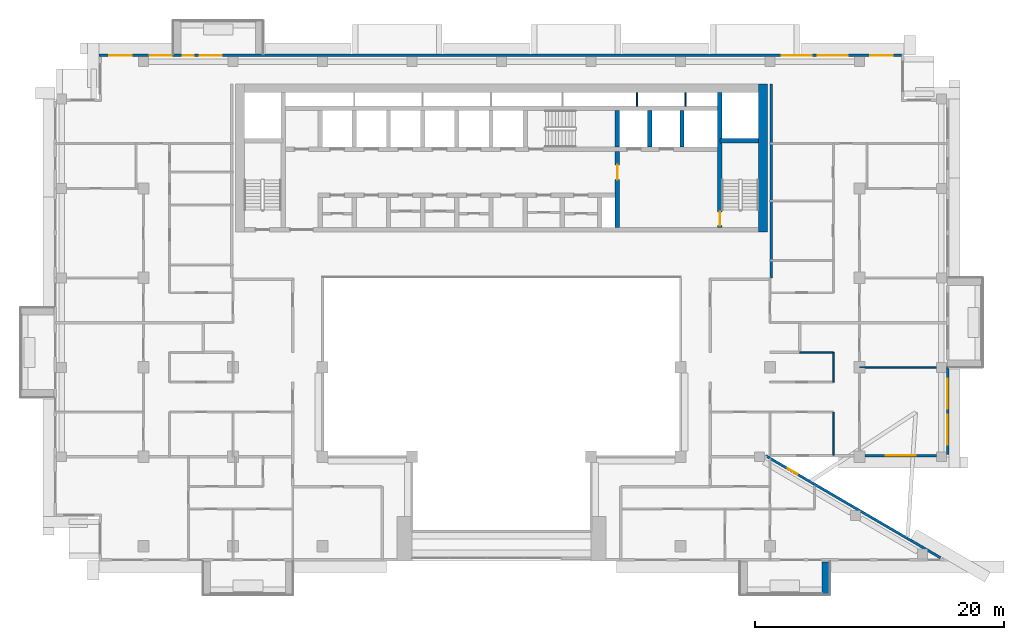
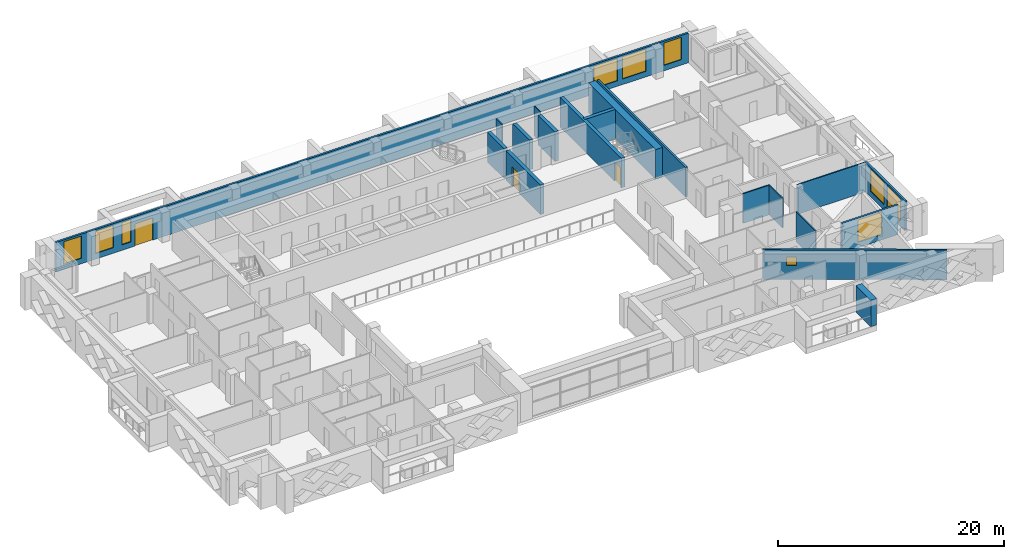
# One storey, part 11 of 20: 19 walls, 10 windows, 3 doors, 13 openings.
"""IFC4 building model written with IfcOpenShell, lengths in metres."""

from ifc_helpers import new_model, si_unit, direction, frame, frame_2d, origin, place, context, subcontext, project, spatial, rectangle, extrude, material, layer, layer_set, type_object, element, fill, save


model = new_model("IFC4")

# Units and contexts
model_context = context("Model", 3, precision=1e-05, world=origin(), true_north=direction((0.0, 1.0)))
body_context = subcontext(model_context, "Body", "Model", "MODEL_VIEW")
ifc_project = project(units=[si_unit("LENGTHUNIT", "METRE"), si_unit("AREAUNIT", "SQUARE_METRE"), si_unit("VOLUMEUNIT", "CUBIC_METRE"), si_unit("PLANEANGLEUNIT", "RADIAN"), si_unit("MASSUNIT", "GRAM", prefix="KILO")], contexts=[model_context])

# Site, building, storey
site_placement = place(None, origin())
site = spatial("IfcSite", under=ifc_project, at=site_placement, CompositionType="ELEMENT")
building_placement = place(site_placement, origin())
building = spatial("IfcBuilding", under=site, at=building_placement, Name="Saffron Iwan Residences", CompositionType="ELEMENT")
storey_placement = place(building_placement, frame((0.0, 0.0, 181.5)))
storey = spatial("IfcBuildingStorey", under=building, at=storey_placement, Name="L48", CompositionType="ELEMENT", Elevation=181.5)

# Wall
ifc_material_1 = material(Name="Concrete C50/60 white painted", Category="concrete")
ifc_layer_1 = layer(ifc_material_1, 0.60009765625)
ifc_layer_set_1 = layer_set([ifc_layer_1], Name="Concrete C50/60 white painted")
wall_type_1 = type_object("IfcWallType", Name="BALCONY FIN 600", PredefinedType="SOLIDWALL", material=ifc_layer_set_1)
wall_1_placement = place(storey_placement, frame((76.5, 39.550048828125, 0.0), z_axis=(0.0, 0.0, 1.0), x_axis=(0.0, -1.0, 0.0)))
element("IfcWall", 1, at=wall_1_placement, inside=storey, type_object=wall_type_1, Name="Balcony fin L48 11-1b", PredefinedType="SOLIDWALL", context=body_context, shape_type="SweptSolid", body=[
    extrude(rectangle(XDim=2.650146484375, YDim=0.60009765625, at=frame_2d((1.3251953125, 0.0))), origin(), (0.0, 0.0, 1.0), 2.85009765625),
])

# Wall, opening, window
ifc_material_2 = material(Name="Concrete C40/50", Category="concrete")
ifc_layer_2 = layer(ifc_material_2, 0.199951171875)
ifc_layer_set_2 = layer_set([ifc_layer_2], Name="Concrete C40/50")
wall_type_2 = type_object("IfcWallType", Name="EXTERNAL WALL 200", PredefinedType="SOLIDWALL", material=ifc_layer_set_2)
wall_2_placement = place(storey_placement, frame((85.71923828125, 39.88134765625, 0.0), z_axis=(0.0, 0.0, 1.0), x_axis=(-0.86377618652, 0.503875678716, 0.0)))
wall_2 = element("IfcWall", 2, at=wall_2_placement, inside=storey, type_object=wall_type_2, Name="External wall L48 F0.0", PredefinedType="SOLIDWALL", context=body_context, shape_type="SweptSolid", body=[
    extrude(rectangle(XDim=16.31103515625, YDim=0.199951171875, at=frame_2d((8.155517578125, 0.0))), origin(), (0.0, 0.0, 1.0), 3.199951171875),
])
opening_1_placement = place(wall_2_placement, frame((13.32568359375, 0.0, 1.5)))
opening_1 = element("IfcOpeningElement", 3, at=opening_1_placement, cuts=wall_2, Name="Opening W6", PredefinedType="OPENING", context=body_context, shape_type="SweptSolid", body=[
    extrude(rectangle(XDim=0.89990234375, YDim=0.89990234375, at=frame_2d((0.449951171875, 0.449951171875))), frame((0.0, 0.10986328125, 0.0), z_axis=(0.0, -1.0, 0.0), x_axis=(1.0, 0.0, 0.0)), (0.0, 0.0, 1.0), 0.219970703125),
])
ifc_material_3 = material(Name="Clear glass, laminated double glazed", Category="glass")
window_type_1 = type_object("IfcWindowType", Name="WINDOW 900 x 900 BATH", PartitioningType="SINGLE_PANEL", PredefinedType="WINDOW", material=ifc_material_3)
window_1_placement = place(opening_1_placement, origin())
window_1 = element("IfcWindow", 4, at=window_1_placement, inside=storey, type_object=window_type_1, Name="Window L48 F0.0", OverallHeight=0.89990234375, OverallWidth=0.89990234375, PartitioningType="SINGLE_PANEL", PredefinedType="WINDOW", context=body_context, shape_type="SweptSolid", body=[
    extrude(rectangle(XDim=0.89990234375, YDim=0.89990234375, at=frame_2d((0.449951171875, 0.449951171875))), frame((0.0, 0.030029296875, 0.0), z_axis=(0.0, -1.0, 0.0), x_axis=(1.0, 0.0, 0.0)), (0.0, 0.0, 1.0), 0.06005859375),
])
fill(opening_1, window_1)

wall_3_placement = place(storey_placement, frame((79.64990234375, 48.10009765625, 0.0), z_axis=(0.0, 0.0, 1.0), x_axis=(1.0, 0.0, 0.0)))
wall_3 = element("IfcWall", 5, at=wall_3_placement, inside=storey, type_object=wall_type_2, Name="External wall L48 F1.1", PredefinedType="SOLIDWALL", context=body_context, shape_type="SweptSolid", body=[
    extrude(rectangle(XDim=5.75, YDim=0.199951171875, at=frame_2d((2.875, 0.0))), origin(), (0.0, 0.0, 1.0), 3.199951171875),
])
opening_2_placement = place(wall_3_placement, frame((1.675048828125, 0.0, 0.60009765625)))
opening_2 = element("IfcOpeningElement", 6, at=opening_2_placement, cuts=wall_3, Name="Opening W1", PredefinedType="OPENING", context=body_context, shape_type="SweptSolid", body=[
    extrude(rectangle(XDim=2.39990234375, YDim=2.39990234375, at=frame_2d((1.199951171875, 1.199951171875))), frame((0.0, 0.10986328125, 0.0), z_axis=(0.0, -1.0, 0.0), x_axis=(1.0, 0.0, 0.0)), (0.0, 0.0, 1.0), 0.219970703125),
])
window_type_2 = type_object("IfcWindowType", Name="WINDOW 2400 x 2400", PartitioningType="DOUBLE_PANEL_VERTICAL", PredefinedType="WINDOW", material=ifc_material_3)
window_2_placement = place(opening_2_placement, origin())
window_2 = element("IfcWindow", 7, at=window_2_placement, inside=storey, type_object=window_type_2, Name="Window L48 F1.0", OverallHeight=2.39990234375, OverallWidth=2.39990234375, PartitioningType="DOUBLE_PANEL_VERTICAL", PredefinedType="WINDOW", context=body_context, shape_type="SweptSolid", body=[
    extrude(rectangle(XDim=2.39990234375, YDim=2.39990234375, at=frame_2d((1.199951171875, 1.199951171875))), frame((0.0, 0.030029296875, 0.0), z_axis=(0.0, -1.0, 0.0), x_axis=(1.0, 0.0, 0.0)), (0.0, 0.0, 1.0), 0.06005859375),
])
fill(opening_2, window_2)

# Wall, openings, windows
wall_4_placement = place(storey_placement, frame((86.300048828125, 48.199951171875, 0.0), z_axis=(0.0, 0.0, 1.0), x_axis=(0.0, 1.0, 0.0)))
wall_4 = element("IfcWall", 8, at=wall_4_placement, inside=storey, type_object=wall_type_2, Name="External wall L48 F2.0", PredefinedType="SOLIDWALL", context=body_context, shape_type="SweptSolid", body=[
    extrude(rectangle(XDim=7.0, YDim=0.199951171875, at=frame_2d((3.5, 0.0))), origin(), (0.0, 0.0, 1.0), 3.199951171875),
])
opening_3_placement = place(wall_4_placement, frame((0.783203125, 0.0, 0.60009765625)))
opening_3 = element("IfcOpeningElement", 9, at=opening_3_placement, cuts=wall_4, Name="Opening W1", PredefinedType="OPENING", context=body_context, shape_type="SweptSolid", body=[
    extrude(rectangle(XDim=2.39990234375, YDim=2.39990234375, at=frame_2d((1.199951171875, 1.199951171875))), frame((0.0, 0.10986328125, 0.0), z_axis=(0.0, -1.0, 0.0), x_axis=(1.0, 0.0, 0.0)), (0.0, 0.0, 1.0), 0.219970703125),
])
opening_4_placement = place(wall_4_placement, frame((3.666748046875, 0.0, 0.60009765625)))
opening_4 = element("IfcOpeningElement", 10, at=opening_4_placement, cuts=wall_4, Name="Opening W1", PredefinedType="OPENING", context=body_context, shape_type="SweptSolid", body=[
    extrude(rectangle(XDim=2.39990234375, YDim=2.39990234375, at=frame_2d((1.199951171875, 1.199951171875))), frame((0.0, 0.10986328125, 0.0), z_axis=(0.0, -1.0, 0.0), x_axis=(1.0, 0.0, 0.0)), (0.0, 0.0, 1.0), 0.219970703125),
])
window_3_placement = place(opening_3_placement, origin())
window_3 = element("IfcWindow", 11, at=window_3_placement, inside=storey, type_object=window_type_2, Name="Window L48 F2.0", OverallHeight=2.39990234375, OverallWidth=2.39990234375, PartitioningType="DOUBLE_PANEL_VERTICAL", PredefinedType="WINDOW", context=body_context, shape_type="SweptSolid", body=[
    extrude(rectangle(XDim=2.39990234375, YDim=2.39990234375, at=frame_2d((1.199951171875, 1.199951171875))), frame((0.0, 0.030029296875, 0.0), z_axis=(0.0, -1.0, 0.0), x_axis=(1.0, 0.0, 0.0)), (0.0, 0.0, 1.0), 0.06005859375),
])
fill(opening_3, window_3)
window_4_placement = place(opening_4_placement, origin())
window_4 = element("IfcWindow", 12, at=window_4_placement, inside=storey, type_object=window_type_2, Name="Window L48 F2.1", OverallHeight=2.39990234375, OverallWidth=2.39990234375, PartitioningType="DOUBLE_PANEL_VERTICAL", PredefinedType="WINDOW", context=body_context, shape_type="SweptSolid", body=[
    extrude(rectangle(XDim=2.39990234375, YDim=2.39990234375, at=frame_2d((1.199951171875, 1.199951171875))), frame((0.0, 0.030029296875, 0.0), z_axis=(0.0, -1.0, 0.0), x_axis=(1.0, 0.0, 0.0)), (0.0, 0.0, 1.0), 0.06005859375),
])
fill(opening_4, window_4)

# Wall, openings, door, windows
wall_5_placement = place(storey_placement, frame((82.60009765625, 80.300048828125, 0.0), z_axis=(0.0, 0.0, 1.0), x_axis=(-1.0, 0.0, 0.0)))
wall_5 = element("IfcWall", 13, at=wall_5_placement, inside=storey, type_object=wall_type_2, Name="External wall L48 F5.0", PredefinedType="SOLIDWALL", context=body_context, shape_type="SweptSolid", body=[
    extrude(rectangle(XDim=64.60009765625, YDim=0.199951171875, at=frame_2d((32.300048828125, 0.0))), origin(), (0.0, 0.0, 1.0), 3.199951171875),
])
opening_5_placement = place(wall_5_placement, frame((54.699951171875, 0.0, 0.0)))
opening_5 = element("IfcOpeningElement", 14, at=opening_5_placement, cuts=wall_5, Name="Opening BD1", PredefinedType="OPENING", context=body_context, shape_type="SweptSolid", body=[
    extrude(rectangle(XDim=1.800048828125, YDim=2.39990234375, at=frame_2d((0.89990234375, 1.199951171875))), frame((0.0, 0.10986328125, 0.0), z_axis=(0.0, -1.0, 0.0), x_axis=(1.0, 0.0, 0.0)), (0.0, 0.0, 1.0), 0.219970703125),
])
opening_6_placement = place(wall_5_placement, frame((56.949951171875, 0.0, 0.60009765625)))
opening_6 = element("IfcOpeningElement", 15, at=opening_6_placement, cuts=wall_5, Name="Opening W10", PredefinedType="OPENING", context=body_context, shape_type="SweptSolid", body=[
    extrude(rectangle(XDim=0.89990234375, YDim=2.39990234375, at=frame_2d((0.449951171875, 1.199951171875))), frame((0.0, 0.10986328125, 0.0), z_axis=(0.0, -1.0, 0.0), x_axis=(1.0, 0.0, 0.0)), (0.0, 0.0, 1.0), 0.219970703125),
])
opening_7_placement = place(wall_5_placement, frame((58.72509765625, 0.0, 0.60009765625)))
opening_7 = element("IfcOpeningElement", 16, at=opening_7_placement, cuts=wall_5, Name="Opening W8", PredefinedType="OPENING", context=body_context, shape_type="SweptSolid", body=[
    extrude(rectangle(XDim=1.800048828125, YDim=2.39990234375, at=frame_2d((0.89990234375, 1.199951171875))), frame((0.0, 0.10986328125, 0.0), z_axis=(0.0, -1.0, 0.0), x_axis=(1.0, 0.0, 0.0)), (0.0, 0.0, 1.0), 0.219970703125),
])
opening_8_placement = place(wall_5_placement, frame((61.97509765625, 0.0, 0.60009765625)))
opening_8 = element("IfcOpeningElement", 17, at=opening_8_placement, cuts=wall_5, Name="Opening W8", PredefinedType="OPENING", context=body_context, shape_type="SweptSolid", body=[
    extrude(rectangle(XDim=1.800048828125, YDim=2.39990234375, at=frame_2d((0.89990234375, 1.199951171875))), frame((0.0, 0.10986328125, 0.0), z_axis=(0.0, -1.0, 0.0), x_axis=(1.0, 0.0, 0.0)), (0.0, 0.0, 1.0), 0.219970703125),
])
opening_9_placement = place(wall_5_placement, frame((0.72509765625, 0.0, 0.60009765625)))
opening_9 = element("IfcOpeningElement", 18, at=opening_9_placement, cuts=wall_5, Name="Opening W8", PredefinedType="OPENING", context=body_context, shape_type="SweptSolid", body=[
    extrude(rectangle(XDim=1.800048828125, YDim=2.39990234375, at=frame_2d((0.89990234375, 1.199951171875))), frame((0.0, 0.10986328125, 0.0), z_axis=(0.0, -1.0, 0.0), x_axis=(1.0, 0.0, 0.0)), (0.0, 0.0, 1.0), 0.219970703125),
])
opening_10_placement = place(wall_5_placement, frame((4.35009765625, 0.0, 0.60009765625)))
opening_10 = element("IfcOpeningElement", 19, at=opening_10_placement, cuts=wall_5, Name="Opening W1", PredefinedType="OPENING", context=body_context, shape_type="SweptSolid", body=[
    extrude(rectangle(XDim=2.39990234375, YDim=2.39990234375, at=frame_2d((1.199951171875, 1.199951171875))), frame((0.0, 0.10986328125, 0.0), z_axis=(0.0, -1.0, 0.0), x_axis=(1.0, 0.0, 0.0)), (0.0, 0.0, 1.0), 0.219970703125),
])
opening_11_placement = place(wall_5_placement, frame((7.25, 0.0, 0.60009765625)))
opening_11 = element("IfcOpeningElement", 20, at=opening_11_placement, cuts=wall_5, Name="Opening W1", PredefinedType="OPENING", context=body_context, shape_type="SweptSolid", body=[
    extrude(rectangle(XDim=2.39990234375, YDim=2.39990234375, at=frame_2d((1.199951171875, 1.199951171875))), frame((0.0, 0.10986328125, 0.0), z_axis=(0.0, -1.0, 0.0), x_axis=(1.0, 0.0, 0.0)), (0.0, 0.0, 1.0), 0.219970703125),
])
door_type_1 = type_object("IfcDoorType", Name="BALCONY DOOR 1800 x 2400", OperationType="DOUBLE_DOOR_SLIDING", PredefinedType="DOOR", material=ifc_material_3)
door_1_placement = place(opening_5_placement, origin())
door_1 = element("IfcDoor", 21, at=door_1_placement, inside=storey, type_object=door_type_1, Name="Balcony door L48 F5.0", OperationType="DOUBLE_DOOR_SLIDING", OverallHeight=2.39990234375, OverallWidth=1.800048828125, PredefinedType="DOOR", context=body_context, shape_type="SweptSolid", body=[
    extrude(rectangle(XDim=1.800048828125, YDim=2.39990234375, at=frame_2d((0.89990234375, 1.199951171875))), frame((0.0, 0.02490234375, 0.0), z_axis=(0.0, -1.0, 0.0), x_axis=(1.0, 0.0, 0.0)), (0.0, 0.0, 1.0), 0.050048828125),
])
fill(opening_5, door_1)
window_type_3 = type_object("IfcWindowType", Name="WINDOW 1800 x 2400", PartitioningType="DOUBLE_PANEL_VERTICAL", PredefinedType="WINDOW", material=ifc_material_3)
window_5_placement = place(opening_7_placement, origin())
window_5 = element("IfcWindow", 22, at=window_5_placement, inside=storey, type_object=window_type_3, Name="Window L48 F5.2", OverallHeight=2.39990234375, OverallWidth=1.800048828125, PartitioningType="DOUBLE_PANEL_VERTICAL", PredefinedType="WINDOW", context=body_context, shape_type="SweptSolid", body=[
    extrude(rectangle(XDim=1.800048828125, YDim=2.39990234375, at=frame_2d((0.89990234375, 1.199951171875))), frame((0.0, 0.030029296875, 0.0), z_axis=(0.0, -1.0, 0.0), x_axis=(1.0, 0.0, 0.0)), (0.0, 0.0, 1.0), 0.06005859375),
])
fill(opening_7, window_5)
window_6_placement = place(opening_8_placement, origin())
window_6 = element("IfcWindow", 23, at=window_6_placement, inside=storey, type_object=window_type_3, Name="Window L48 F5.3", OverallHeight=2.39990234375, OverallWidth=1.800048828125, PartitioningType="DOUBLE_PANEL_VERTICAL", PredefinedType="WINDOW", context=body_context, shape_type="SweptSolid", body=[
    extrude(rectangle(XDim=1.800048828125, YDim=2.39990234375, at=frame_2d((0.89990234375, 1.199951171875))), frame((0.0, 0.030029296875, 0.0), z_axis=(0.0, -1.0, 0.0), x_axis=(1.0, 0.0, 0.0)), (0.0, 0.0, 1.0), 0.06005859375),
])
fill(opening_8, window_6)
window_7_placement = place(opening_9_placement, origin())
window_7 = element("IfcWindow", 24, at=window_7_placement, inside=storey, type_object=window_type_3, Name="Window L48 F5.4", OverallHeight=2.39990234375, OverallWidth=1.800048828125, PartitioningType="DOUBLE_PANEL_VERTICAL", PredefinedType="WINDOW", context=body_context, shape_type="SweptSolid", body=[
    extrude(rectangle(XDim=1.800048828125, YDim=2.39990234375, at=frame_2d((0.89990234375, 1.199951171875))), frame((0.0, 0.030029296875, 0.0), z_axis=(0.0, -1.0, 0.0), x_axis=(1.0, 0.0, 0.0)), (0.0, 0.0, 1.0), 0.06005859375),
])
fill(opening_9, window_7)
window_8_placement = place(opening_10_placement, origin())
window_8 = element("IfcWindow", 25, at=window_8_placement, inside=storey, type_object=window_type_2, Name="Window L48 F5.5", OverallHeight=2.39990234375, OverallWidth=2.39990234375, PartitioningType="DOUBLE_PANEL_VERTICAL", PredefinedType="WINDOW", context=body_context, shape_type="SweptSolid", body=[
    extrude(rectangle(XDim=2.39990234375, YDim=2.39990234375, at=frame_2d((1.199951171875, 1.199951171875))), frame((0.0, 0.030029296875, 0.0), z_axis=(0.0, -1.0, 0.0), x_axis=(1.0, 0.0, 0.0)), (0.0, 0.0, 1.0), 0.06005859375),
])
fill(opening_10, window_8)
window_9_placement = place(opening_11_placement, origin())
window_9 = element("IfcWindow", 26, at=window_9_placement, inside=storey, type_object=window_type_2, Name="Window L48 F5.6", OverallHeight=2.39990234375, OverallWidth=2.39990234375, PartitioningType="DOUBLE_PANEL_VERTICAL", PredefinedType="WINDOW", context=body_context, shape_type="SweptSolid", body=[
    extrude(rectangle(XDim=2.39990234375, YDim=2.39990234375, at=frame_2d((1.199951171875, 1.199951171875))), frame((0.0, 0.030029296875, 0.0), z_axis=(0.0, -1.0, 0.0), x_axis=(1.0, 0.0, 0.0)), (0.0, 0.0, 1.0), 0.06005859375),
])
fill(opening_11, window_9)
window_type_4 = type_object("IfcWindowType", Name="WINDOW 900 x 2400", PartitioningType="SINGLE_PANEL", PredefinedType="WINDOW", material=ifc_material_3)
window_10_placement = place(opening_6_placement, origin())
window_10 = element("IfcWindow", 27, at=window_10_placement, inside=storey, type_object=window_type_4, Name="Window L48 F5.1", OverallHeight=2.39990234375, OverallWidth=0.89990234375, PartitioningType="SINGLE_PANEL", PredefinedType="WINDOW", context=body_context, shape_type="SweptSolid", body=[
    extrude(rectangle(XDim=0.89990234375, YDim=2.39990234375, at=frame_2d((0.449951171875, 1.199951171875))), frame((0.0, 0.030029296875, 0.0), z_axis=(0.0, -1.0, 0.0), x_axis=(1.0, 0.0, 0.0)), (0.0, 0.0, 1.0), 0.06005859375),
])
fill(opening_6, window_10)

# Walls
ifc_material_4 = material(Name="Gypsum board partition")
ifc_layer_3 = layer(ifc_material_4, 0.1201171875)
ifc_layer_set_3 = layer_set([ifc_layer_3], Name="Gypsum board partition")
wall_type_3 = type_object("IfcWallType", Name="Flat partition 120", PredefinedType="PARTITIONING", material=ifc_layer_set_3)
wall_6_placement = place(storey_placement, frame((79.199951171875, 55.199951171875, 0.0), z_axis=(0.0, 0.0, 1.0), x_axis=(1.0, 0.0, 0.0)))
element("IfcWall", 28, at=wall_6_placement, inside=storey, type_object=wall_type_3, Name="W-L48-PART-h55.2-79.2", PredefinedType="PARTITIONING", context=body_context, shape_type="SweptSolid", body=[
    extrude(rectangle(XDim=7.074951171875, YDim=0.1201171875, at=frame_2d((3.53759765625, 0.0))), origin(), (0.0, 0.0, 1.0), 3.199951171875),
])
wall_7_placement = place(storey_placement, frame((74.39990234375, 56.39990234375, 0.0), z_axis=(0.0, 0.0, 1.0), x_axis=(1.0, 0.0, 0.0)))
element("IfcWall", 29, at=wall_7_placement, inside=storey, type_object=wall_type_3, Name="W-L48-PART-h56.4-74.4", PredefinedType="PARTITIONING", context=body_context, shape_type="SweptSolid", body=[
    extrude(rectangle(XDim=2.7001953125, YDim=0.1201171875, at=frame_2d((1.35009765625, 0.0))), origin(), (0.0, 0.0, 1.0), 3.199951171875),
])
wall_8_placement = place(storey_placement, frame((77.10009765625, 48.125, 0.0), z_axis=(0.0, 0.0, 1.0), x_axis=(0.0, 1.0, 0.0)))
element("IfcWall", 30, at=wall_8_placement, inside=storey, type_object=wall_type_3, Name="W-L48-PART-v77.1-48.125", PredefinedType="PARTITIONING", context=body_context, shape_type="SweptSolid", body=[
    extrude(rectangle(XDim=3.47509765625, YDim=0.1201171875, at=frame_2d((1.737548828125, 0.0))), origin(), (0.0, 0.0, 1.0), 3.199951171875),
])
wall_9_placement = place(storey_placement, frame((77.10009765625, 54.0, 0.0), z_axis=(0.0, 0.0, 1.0), x_axis=(0.0, 1.0, 0.0)))
element("IfcWall", 31, at=wall_9_placement, inside=storey, type_object=wall_type_3, Name="W-L48-PART-v77.1-54", PredefinedType="PARTITIONING", context=body_context, shape_type="SweptSolid", body=[
    extrude(rectangle(XDim=2.39990234375, YDim=0.1201171875, at=frame_2d((1.199951171875, 0.0))), origin(), (0.0, 0.0, 1.0), 3.199951171875),
])
ifc_material_5 = material(Name="Fire-rated gypsum board wall")
ifc_layer_4 = layer(ifc_material_5, 0.199951171875)
ifc_layer_set_4 = layer_set([ifc_layer_4], Name="Fire-rated gypsum board wall")
wall_type_4 = type_object("IfcWallType", Name="Gallery wall 200", PredefinedType="SOLIDWALL", material=ifc_layer_set_4)
wall_10_placement = place(storey_placement, frame((72.10009765625, 62.39990234375, 0.0), z_axis=(0.0, 0.0, 1.0), x_axis=(0.0, 1.0, 0.0)))
element("IfcWall", 32, at=wall_10_placement, inside=storey, type_object=wall_type_4, Name="W-L48-CORR-v72-62.4", PredefinedType="SOLIDWALL", context=body_context, shape_type="SweptSolid", body=[
    extrude(rectangle(XDim=15.60009765625, YDim=0.199951171875, at=frame_2d((7.800048828125, 0.0))), origin(), (0.0, 0.0, 1.0), 3.199951171875),
])
ifc_material_6 = material(Name="Fire-rated plasterboard partition")
ifc_layer_5 = layer(ifc_material_6, 0.10009765625)
ifc_layer_set_5 = layer_set([ifc_layer_5], Name="Fire-rated plasterboard partition")
wall_type_5 = type_object("IfcWallType", Name="Riser partition 100", PredefinedType="PARTITIONING", material=ifc_layer_set_5)
for number, where, z_axis, x_axis, name in (
    (33, (61.300048828125, 76.22509765625, 0.0), (0.0, 0.0, 1.0), (0.0, 1.0, 0.0), "Core partition P11"),
    (34, (65.199951171875, 76.22509765625, 0.0), (0.0, 0.0, 1.0), (0.0, 1.0, 0.0), "Core partition P12"),
):
    element("IfcWall", number, at=place(storey_placement, frame(where, z_axis=z_axis, x_axis=x_axis)), inside=storey, type_object=wall_type_5, Name=name, PredefinedType="PARTITIONING", context=body_context, shape_type="SweptSolid", body=[
        extrude(rectangle(XDim=1.074951171875, YDim=0.10009765625, at=frame_2d((0.53759765625, 0.0))), origin(), (0.0, 0.0, 1.0), 3.199951171875),
    ])
ifc_material_7 = material(Name="Concrete C50/60", Category="concrete")
ifc_layer_6 = layer(ifc_material_7, 0.35009765625)
ifc_layer_set_6 = layer_set([ifc_layer_6], Name="Concrete C50/60")
wall_type_6 = type_object("IfcWallType", Name="WALL CORE 350 C50/60 3200 HIGH", PredefinedType="SHEAR", material=ifc_layer_set_6)
wall_11_placement = place(storey_placement, frame((67.97509765625, 73.425048828125, 0.0), z_axis=(0.0, 0.0, 1.0), x_axis=(1.0, 0.0, 0.0)))
element("IfcWall", 35, at=wall_11_placement, inside=storey, type_object=wall_type_6, Name="Core wall", PredefinedType="SHEAR", context=body_context, shape_type="SweptSolid", body=[
    extrude(rectangle(XDim=3.125, YDim=0.35009765625, at=frame_2d((1.5625, 0.0))), origin(), (0.0, 0.0, 1.0), 3.199951171875),
])

# Wall, opening, door
wall_12_placement = place(storey_placement, frame((67.97509765625, 66.449951171875, 0.0), z_axis=(0.0, 0.0, 1.0), x_axis=(0.0, 1.0, 0.0)))
wall_12 = element("IfcWall", 36, at=wall_12_placement, inside=storey, type_object=wall_type_6, Name="Core wall", PredefinedType="SHEAR", context=body_context, shape_type="SweptSolid", body=[
    extrude(rectangle(XDim=10.85009765625, YDim=0.35009765625, at=frame_2d((5.425048828125, 0.0))), origin(), (0.0, 0.0, 1.0), 3.199951171875),
])
opening_12_placement = place(wall_12_placement, frame((0.14990234375, 0.0, 0.0)))
opening_12 = element("IfcOpeningElement", 37, at=opening_12_placement, cuts=wall_12, Name="Opening SD", PredefinedType="OPENING", context=body_context, shape_type="SweptSolid", body=[
    extrude(rectangle(XDim=1.10009765625, YDim=2.10009765625, at=frame_2d((0.550048828125, 1.050048828125))), frame((0.0, 0.18505859375, 0.0), z_axis=(0.0, -1.0, 0.0), x_axis=(1.0, 0.0, 0.0)), (0.0, 0.0, 1.0), 0.3701171875),
])
ifc_material_8 = material(Name="Steel fire door", Category="steel")
door_type_2 = type_object("IfcDoorType", Name="Stair door 1100", OperationType="NOTDEFINED", PredefinedType="DOOR", material=ifc_material_8)
door_2_placement = place(opening_12_placement, origin())
door_2 = element("IfcDoor", 38, at=door_2_placement, inside=storey, type_object=door_type_2, Name="Stair door ST-E", OperationType="SINGLE_SWING_LEFT", OverallHeight=2.10009765625, OverallWidth=1.10009765625, PredefinedType="DOOR", context=body_context, shape_type="SweptSolid", body=[
    extrude(rectangle(XDim=1.10009765625, YDim=2.10009765625, at=frame_2d((0.550048828125, 1.050048828125))), frame((0.0, 0.02490234375, 0.0), z_axis=(0.0, -1.0, 0.0), x_axis=(1.0, 0.0, 0.0)), (0.0, 0.0, 1.0), 0.050048828125),
])
fill(opening_12, door_2)

wall_13_placement = place(storey_placement, frame((59.72509765625, 66.449951171875, 0.0), z_axis=(0.0, 0.0, 1.0), x_axis=(0.0, 1.0, 0.0)))
wall_13 = element("IfcWall", 39, at=wall_13_placement, inside=storey, type_object=wall_type_6, Name="Core wall", PredefinedType="SHEAR", context=body_context, shape_type="SweptSolid", body=[
    extrude(rectangle(XDim=6.125, YDim=0.35009765625, at=frame_2d((3.0625, 0.0))), origin(), (0.0, 0.0, 1.0), 3.199951171875),
])
opening_13_placement = place(wall_13_placement, frame((3.85009765625, 0.0, 0.0)))
opening_13 = element("IfcOpeningElement", 40, at=opening_13_placement, cuts=wall_13, Name="Opening FD", PredefinedType="OPENING", context=body_context, shape_type="SweptSolid", body=[
    extrude(rectangle(XDim=1.199951171875, YDim=2.10009765625, at=frame_2d((0.60009765625, 1.050048828125))), frame((0.0, 0.18505859375, 0.0), z_axis=(0.0, -1.0, 0.0), x_axis=(1.0, 0.0, 0.0)), (0.0, 0.0, 1.0), 0.3701171875),
])
door_type_3 = type_object("IfcDoorType", Name="Firefighting lobby door 1200", OperationType="NOTDEFINED", PredefinedType="DOOR", material=ifc_material_8)
door_3_placement = place(opening_13_placement, origin())
door_3 = element("IfcDoor", 41, at=door_3_placement, inside=storey, type_object=door_type_3, Name="Firefighting lobby door", OperationType="SINGLE_SWING_LEFT", OverallHeight=2.10009765625, OverallWidth=1.199951171875, PredefinedType="DOOR", context=body_context, shape_type="SweptSolid", body=[
    extrude(rectangle(XDim=1.199951171875, YDim=2.10009765625, at=frame_2d((0.60009765625, 1.050048828125))), frame((0.0, 0.02490234375, 0.0), z_axis=(0.0, -1.0, 0.0), x_axis=(1.0, 0.0, 0.0)), (0.0, 0.0, 1.0), 0.050048828125),
])
fill(opening_13, door_3)

# Walls
for number, where, z_axis, x_axis, name in (
    (42, (59.72509765625, 72.925048828125, 0.0), (0.0, 0.0, 1.0), (0.0, 1.0, 0.0), "Core wall"),
    (43, (62.324951171875, 72.925048828125, 0.0), (0.0, 0.0, 1.0), (0.0, 1.0, 0.0), "Core wall"),
    (44, (64.925048828125, 72.925048828125, 0.0), (0.0, 0.0, 1.0), (0.0, 1.0, 0.0), "Core wall"),
):
    element("IfcWall", number, at=place(storey_placement, frame(where, z_axis=z_axis, x_axis=x_axis)), inside=storey, type_object=wall_type_6, Name=name, PredefinedType="SHEAR", context=body_context, shape_type="SweptSolid", body=[
        extrude(rectangle(XDim=2.949951171875, YDim=0.35009765625, at=frame_2d((1.47509765625, 0.0))), origin(), (0.0, 0.0, 1.0), 3.199951171875),
    ])
ifc_layer_7 = layer(ifc_material_7, 0.699951171875)
ifc_layer_set_7 = layer_set([ifc_layer_7], Name="Concrete C50/60")
wall_type_7 = type_object("IfcWallType", Name="WALL CORE 700 C50/60 3200 HIGH", PredefinedType="SHEAR", material=ifc_layer_set_7)
wall_14_placement = place(storey_placement, frame((71.449951171875, 66.10009765625, 0.0), z_axis=(0.0, 0.0, 1.0), x_axis=(0.0, 1.0, 0.0)))
element("IfcWall", 45, at=wall_14_placement, inside=storey, type_object=wall_type_7, Name="Core wall", PredefinedType="SHEAR", context=body_context, shape_type="SweptSolid", body=[
    extrude(rectangle(XDim=11.89990234375, YDim=0.699951171875, at=frame_2d((5.949951171875, 0.0))), origin(), (0.0, 0.0, 1.0), 3.199951171875),
])

save(model, "model.ifc")
